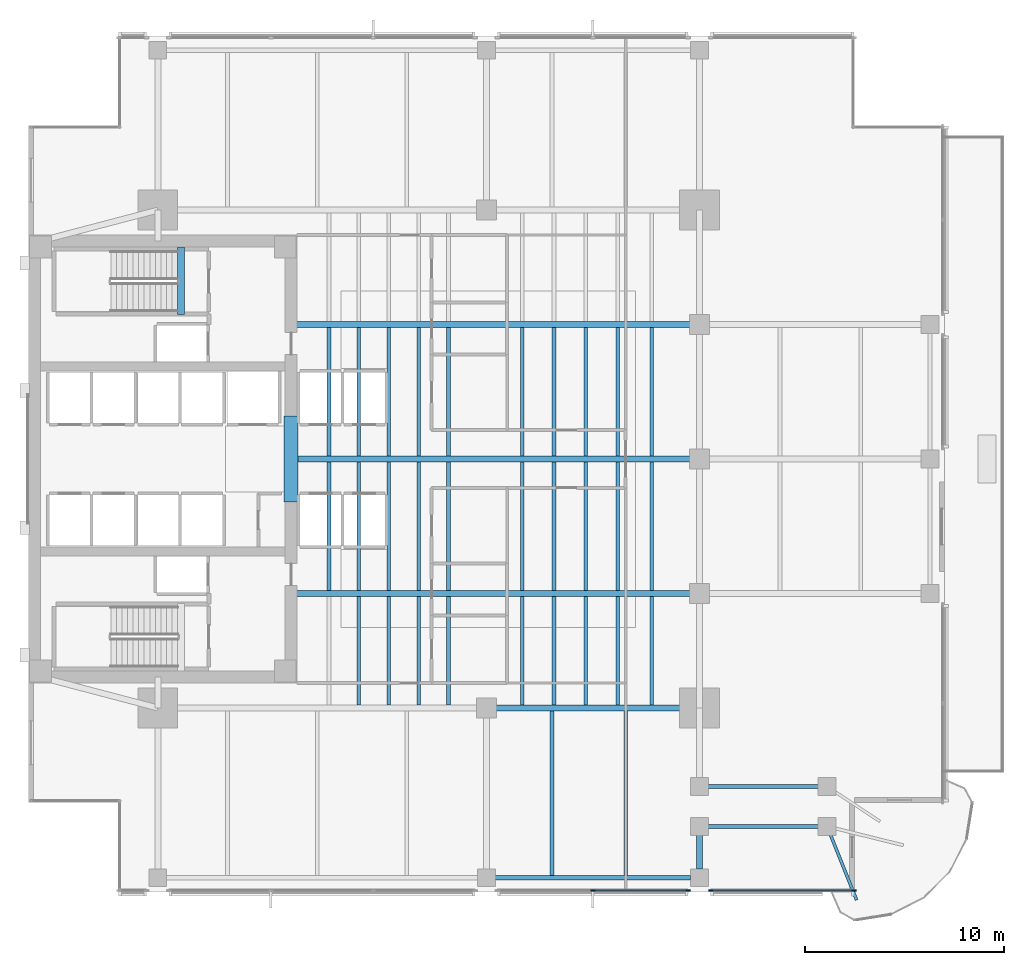
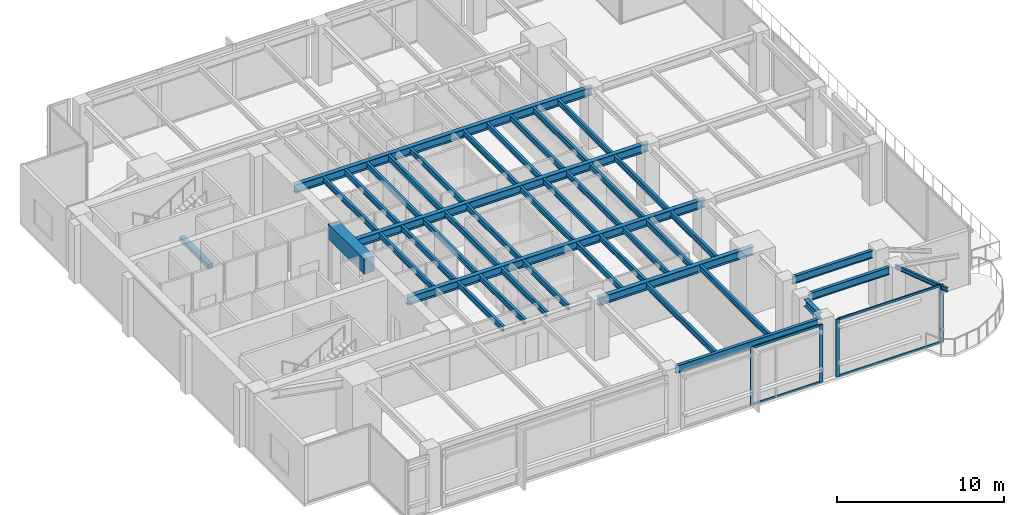
# One storey, part 3 of 14: 42 beams, 8 members, 2 elements without a shape of their own.
"""IFC4 building model written with IfcOpenShell, lengths in metres."""

from ifc_helpers import new_model, si_unit, direction, frame, origin, origin_2d, place, context, subcontext, project, spatial, rectangle, i_section, extrude, material, layer, layer_set, material_profile, profile_set, type_object, element, aggregate, save


model = new_model("IFC4")

# Units and contexts
model_context = context("Model", 3, precision=1e-05, world=origin(), true_north=direction((0.0, 1.0)))
body_context = subcontext(model_context, "Body", "Model", "MODEL_VIEW")
ifc_project = project(units=[si_unit("LENGTHUNIT", "METRE"), si_unit("AREAUNIT", "SQUARE_METRE"), si_unit("VOLUMEUNIT", "CUBIC_METRE"), si_unit("PLANEANGLEUNIT", "RADIAN"), si_unit("MASSUNIT", "GRAM", prefix="KILO")], contexts=[model_context])

# Site, building, storey
site_placement = place(None, origin())
site = spatial("IfcSite", under=ifc_project, at=site_placement, CompositionType="ELEMENT")
building_placement = place(site_placement, origin())
building = spatial("IfcBuilding", under=site, at=building_placement, Name="Kinhvarn Gate Tower", CompositionType="ELEMENT")
storey_placement = place(building_placement, frame((0.0, 0.0, 97.85009765625)))
storey = spatial("IfcBuildingStorey", under=building, at=storey_placement, Name="L25", CompositionType="ELEMENT", Elevation=97.85009765625)

# Beams
ifc_material_1 = material(Name="Concrete C70/85", Category="concrete")
ifc_material_profile_1 = material_profile(ifc_material_1, rectangle(XDim=0.699951171875, YDim=1.10009765625, at=origin_2d()), Name="RC 700x1100")
ifc_profile_set_1 = profile_set([ifc_material_profile_1], Name="Concrete C70/85")
beam_type_1 = type_object("IfcBeamType", Name="BM-CB-1100", PredefinedType="LINTEL", material=ifc_profile_set_1)
beam_1_placement = place(storey_placement, frame((17.699951171875, 23.10009765625, 3.669921875), z_axis=(0.0, 1.0, 0.0), x_axis=(-1.0, 0.0, 0.0)))
element("IfcBeam", 1, at=beam_1_placement, inside=storey, type_object=beam_type_1, Name="Core East Portal Coupling Beam L25", PredefinedType="LINTEL", context=body_context, shape_type="SweptSolid", body=[
    extrude(rectangle(XDim=0.699951171875, YDim=1.10009765625, at=origin_2d()), origin(), (0.0, 0.0, 1.0), 4.2998046875),
])
ifc_material_2 = material(Name="Concrete C50/60", Category="concrete")
ifc_material_profile_2 = material_profile(ifc_material_2, rectangle(XDim=0.340087890625, YDim=0.320068359375, at=origin_2d()), Name="RC 340x320")
ifc_profile_set_2 = profile_set([ifc_material_profile_2], Name="Concrete C50/60")
beam_type_2 = type_object("IfcBeamType", Name="BM-LND-500", PredefinedType="BEAM", material=ifc_profile_set_2)
beam_2_placement = place(storey_placement, frame((12.1650390625, 32.5, -0.16015625), z_axis=(0.0, 1.0, 0.0), x_axis=(-1.0, 0.0, 0.0)))
element("IfcBeam", 2, at=beam_2_placement, inside=storey, type_object=beam_type_2, Name="Stair ST2 Landing Nosing Beam (L25)", PredefinedType="BEAM", context=body_context, shape_type="SweptSolid", body=[
    extrude(rectangle(XDim=0.340087890625, YDim=0.320068359375, at=origin_2d()), origin(), (0.0, 0.0, 1.0), 3.39990234375),
])

# Curtain wall, members
ifc_material_3 = material(Name="Anodised aluminium AW-6063", Category="aluminium")
ifc_layer = layer(ifc_material_3, 0.219970703125)
ifc_layer_set = layer_set([ifc_layer], Name="Anodised aluminium AW-6063")
curtain_wall_type = type_object("IfcCurtainWallType", Name="CW-SYS-5", PredefinedType="NOTDEFINED", material=ifc_layer_set)
curtain_wall_1_placement = place(storey_placement, origin())
curtain_wall_1 = element("IfcCurtainWall", 3, at=curtain_wall_1_placement, inside=storey, type_object=curtain_wall_type, Name="Curtain Wall CW5 (L25)", PredefinedType="NOTDEFINED")
ifc_material_profile_3 = material_profile(ifc_material_3, rectangle(XDim=0.080078125, YDim=0.219970703125, at=origin_2d()), Name="ALU 80x220")
ifc_profile_set_3 = profile_set([ifc_material_profile_3], Name="Anodised aluminium AW-6063")
member_type_1 = type_object("IfcMemberType", Name="CW-MUL-220", PredefinedType="MULLION", material=ifc_profile_set_3)
member_1_placement = place(storey_placement, frame((32.85009765625, 3.590087890625, 0.0), z_axis=(0.0, 0.0, 1.0), x_axis=(0.0, 1.0, 0.0)))
member_1 = element("IfcMember", 4, at=member_1_placement, type_object=member_type_1, Name="CW5 mullion 2", PredefinedType="MULLION", context=body_context, shape_type="SweptSolid", body=[
    extrude(rectangle(XDim=0.080078125, YDim=0.219970703125, at=origin_2d()), origin(), (0.0, 0.0, 1.0), 4.219970703125),
])
member_2_placement = place(storey_placement, frame((37.6298828125, 3.590087890625, 0.0), z_axis=(0.0, 0.0, 1.0), x_axis=(0.0, 1.0, 0.0)))
member_2 = element("IfcMember", 5, at=member_2_placement, type_object=member_type_1, Name="CW5 mullion 3", PredefinedType="MULLION", context=body_context, shape_type="SweptSolid", body=[
    extrude(rectangle(XDim=0.080078125, YDim=0.219970703125, at=origin_2d()), origin(), (0.0, 0.0, 1.0), 4.219970703125),
])

curtain_wall_2_placement = place(storey_placement, origin())
curtain_wall_2 = element("IfcCurtainWall", 6, at=curtain_wall_2_placement, inside=storey, type_object=curtain_wall_type, Name="Curtain Wall CW5 (L25)", PredefinedType="NOTDEFINED")
member_3_placement = place(storey_placement, frame((38.77001953125, 3.590087890625, 0.0), z_axis=(0.0, 0.0, 1.0), x_axis=(0.0, 1.0, 0.0)))
member_3 = element("IfcMember", 7, at=member_3_placement, type_object=member_type_1, Name="CW5 mullion 1", PredefinedType="MULLION", context=body_context, shape_type="SweptSolid", body=[
    extrude(rectangle(XDim=0.080078125, YDim=0.219970703125, at=origin_2d()), origin(), (0.0, 0.0, 1.0), 4.219970703125),
])
member_4_placement = place(storey_placement, frame((45.9599609375, 3.590087890625, 0.0), z_axis=(0.0, 0.0, 1.0), x_axis=(0.0, 1.0, 0.0)))
member_4 = element("IfcMember", 8, at=member_4_placement, type_object=member_type_1, Name="CW5 mullion 2", PredefinedType="MULLION", context=body_context, shape_type="SweptSolid", body=[
    extrude(rectangle(XDim=0.080078125, YDim=0.219970703125, at=origin_2d()), origin(), (0.0, 0.0, 1.0), 4.219970703125),
])

# Member
ifc_material_profile_4 = material_profile(ifc_material_3, rectangle(XDim=0.080078125, YDim=0.159912109375, at=origin_2d()), Name="ALU 80x160")
ifc_profile_set_4 = profile_set([ifc_material_profile_4], Name="Anodised aluminium AW-6063")
member_type_2 = type_object("IfcMemberType", Name="CW-TRN-160", PredefinedType="USERDEFINED", material=ifc_profile_set_4)
member_5_placement = place(storey_placement, frame((32.889892578125, 3.590087890625, 0.039794921875), z_axis=(1.0, 0.0, 0.0), x_axis=(0.0, 1.0, 0.0)))
member_5 = element("IfcMember", 9, at=member_5_placement, type_object=member_type_2, Name="CW5 transom 2.1", ObjectType="TRANSOM", PredefinedType="USERDEFINED", context=body_context, shape_type="SweptSolid", body=[
    extrude(rectangle(XDim=0.080078125, YDim=0.159912109375, at=origin_2d()), origin(), (0.0, 0.0, 1.0), 4.7001953125),
])

member_6_placement = place(storey_placement, frame((32.889892578125, 3.590087890625, 4.179931640625), z_axis=(1.0, 0.0, 0.0), x_axis=(0.0, 1.0, 0.0)))
member_6 = element("IfcMember", 10, at=member_6_placement, type_object=member_type_2, Name="CW5 transom 2.2", ObjectType="TRANSOM", PredefinedType="USERDEFINED", context=body_context, shape_type="SweptSolid", body=[
    extrude(rectangle(XDim=0.080078125, YDim=0.159912109375, at=origin_2d()), origin(), (0.0, 0.0, 1.0), 4.7001953125),
])

aggregate(curtain_wall_1, [member_1, member_2, member_5, member_6])

member_7_placement = place(storey_placement, frame((38.81005859375, 3.590087890625, 0.039794921875), z_axis=(1.0, 0.0, 0.0), x_axis=(0.0, 1.0, 0.0)))
member_7 = element("IfcMember", 11, at=member_7_placement, type_object=member_type_2, Name="CW5 transom 1.1", ObjectType="TRANSOM", PredefinedType="USERDEFINED", context=body_context, shape_type="SweptSolid", body=[
    extrude(rectangle(XDim=0.080078125, YDim=0.159912109375, at=origin_2d()), origin(), (0.0, 0.0, 1.0), 7.10986328125),
])

member_8_placement = place(storey_placement, frame((38.81005859375, 3.590087890625, 4.179931640625), z_axis=(1.0, 0.0, 0.0), x_axis=(0.0, 1.0, 0.0)))
member_8 = element("IfcMember", 12, at=member_8_placement, type_object=member_type_2, Name="CW5 transom 1.2", ObjectType="TRANSOM", PredefinedType="USERDEFINED", context=body_context, shape_type="SweptSolid", body=[
    extrude(rectangle(XDim=0.080078125, YDim=0.159912109375, at=origin_2d()), origin(), (0.0, 0.0, 1.0), 7.10986328125),
])

aggregate(curtain_wall_2, [member_3, member_4, member_7, member_8])

# Beams
ifc_material_4 = material(Name="Steel S355", Category="steel")
ifc_material_profile_5 = material_profile(ifc_material_4, i_section(OverallWidth=0.300048828125, OverallDepth=0.5, WebThickness=0.014404296875, FlangeThickness=0.028076171875, at=origin_2d()), Name="HEB 500")
ifc_profile_set_5 = profile_set([ifc_material_profile_5], Name="Steel S355")
beam_type_3 = type_object("IfcBeamType", Name="STL-HEB500", PredefinedType="BEAM", material=ifc_profile_set_5)
beam_3_placement = place(storey_placement, frame((38.199951171875, 4.655029296875, 3.969970703125), z_axis=(0.0, 1.0, 0.0), x_axis=(-1.0, 0.0, 0.0)))
element("IfcBeam", 13, at=beam_3_placement, inside=storey, type_object=beam_type_3, Name="Floor Beam PG-14 (L25 MCE-S-A0)", PredefinedType="BEAM", context=body_context, shape_type="SweptSolid", body=[
    extrude(i_section(OverallWidth=0.300048828125, OverallDepth=0.5, WebThickness=0.014404296875, FlangeThickness=0.028076171875, at=origin_2d()), origin(), (0.0, 0.0, 1.0), 1.7099609375),
])
ifc_material_profile_6 = material_profile(ifc_material_4, i_section(OverallWidth=0.300048828125, OverallDepth=0.60009765625, WebThickness=0.015380859375, FlangeThickness=0.030029296875, at=origin_2d()), Name="HEB 600")
ifc_profile_set_6 = profile_set([ifc_material_profile_6], Name="Steel S355")
beam_type_4 = type_object("IfcBeamType", Name="STL-HEB600", PredefinedType="BEAM", material=ifc_profile_set_6)
beam_4_placement = place(storey_placement, frame((27.5, 12.75, 3.919921875), z_axis=(1.0, 0.0, 0.0), x_axis=(0.0, 1.0, 0.0)))
element("IfcBeam", 14, at=beam_4_placement, inside=storey, type_object=beam_type_4, Name="Floor Beam PG-16 (L25 MG-S2)", PredefinedType="BEAM", context=body_context, shape_type="SweptSolid", body=[
    extrude(i_section(OverallWidth=0.300048828125, OverallDepth=0.60009765625, WebThickness=0.015380859375, FlangeThickness=0.030029296875, at=origin_2d()), origin(), (0.0, 0.0, 1.0), 10.699951171875),
])
beam_5_placement = place(storey_placement, frame((17.64990234375, 18.5, 3.919921875), z_axis=(1.0, 0.0, 0.0), x_axis=(0.0, 1.0, 0.0)))
element("IfcBeam", 15, at=beam_5_placement, inside=storey, type_object=beam_type_4, Name="Floor Beam PG-16 (L25 EW1-Y18)", PredefinedType="BEAM", context=body_context, shape_type="SweptSolid", body=[
    extrude(i_section(OverallWidth=0.300048828125, OverallDepth=0.60009765625, WebThickness=0.015380859375, FlangeThickness=0.030029296875, at=origin_2d()), origin(), (0.0, 0.0, 1.0), 20.550048828125),
])
beam_6_placement = place(storey_placement, frame((18.050048828125, 25.25, 3.919921875), z_axis=(1.0, 0.0, 0.0), x_axis=(0.0, 1.0, 0.0)))
element("IfcBeam", 16, at=beam_6_placement, inside=storey, type_object=beam_type_4, Name="Floor Beam PG-16 (L25 EW1-Y25)", PredefinedType="BEAM", context=body_context, shape_type="SweptSolid", body=[
    extrude(i_section(OverallWidth=0.300048828125, OverallDepth=0.60009765625, WebThickness=0.015380859375, FlangeThickness=0.030029296875, at=origin_2d()), origin(), (0.0, 0.0, 1.0), 20.14990234375),
])
beam_7_placement = place(storey_placement, frame((17.64990234375, 32.0, 3.919921875), z_axis=(1.0, 0.0, 0.0), x_axis=(0.0, 1.0, 0.0)))
element("IfcBeam", 17, at=beam_7_placement, inside=storey, type_object=beam_type_4, Name="Floor Beam PG-16 (L25 EW1-Y32)", PredefinedType="BEAM", context=body_context, shape_type="SweptSolid", body=[
    extrude(i_section(OverallWidth=0.300048828125, OverallDepth=0.60009765625, WebThickness=0.015380859375, FlangeThickness=0.030029296875, at=origin_2d()), origin(), (0.0, 0.0, 1.0), 20.550048828125),
])
ifc_material_profile_7 = material_profile(ifc_material_4, i_section(OverallWidth=0.14990234375, OverallDepth=0.300048828125, WebThickness=0.007080078125, FlangeThickness=0.0107421875, at=origin_2d()), Name="IPE 300")
ifc_profile_set_7 = profile_set([ifc_material_profile_7], Name="Steel S355")
beam_type_5 = type_object("IfcBeamType", Name="STL-IPE300", PredefinedType="JOIST", material=ifc_profile_set_7)
beam_8_placement = place(storey_placement, frame((44.6201171875, 6.800048828125, 4.06982421875), z_axis=(0.371390676354, -0.928476690885, 0.0), x_axis=(0.928476690885, 0.371390676354, 0.0)))
element("IfcBeam", 18, at=beam_8_placement, inside=storey, type_object=beam_type_5, Name="Floor Joist SB-02 (L25 BAL-B2-L26)", PredefinedType="JOIST", context=body_context, shape_type="SweptSolid", body=[
    extrude(i_section(OverallWidth=0.14990234375, OverallDepth=0.300048828125, WebThickness=0.007080078125, FlangeThickness=0.0107421875, at=origin_2d()), origin(), (0.0, 0.0, 1.0), 3.98486328125),
])
ifc_material_profile_8 = material_profile(ifc_material_4, i_section(OverallWidth=0.179931640625, OverallDepth=0.39990234375, WebThickness=0.008544921875, FlangeThickness=0.013427734375, at=origin_2d()), Name="IPE 400")
ifc_profile_set_8 = profile_set([ifc_material_profile_8], Name="Steel S355")
beam_type_6 = type_object("IfcBeamType", Name="STL-IPE400", PredefinedType="JOIST", material=ifc_profile_set_8)
for number, where, z_axis, x_axis, name in (
    (19, (19.60009765625, 18.64990234375, 4.02001953125), (0.0, 1.0, 0.0), (-1.0, 0.0, 0.0), "Floor Joist SB-05 (L25 JC-X196-1)"),
    (20, (19.60009765625, 25.39990234375, 4.02001953125), (0.0, 1.0, 0.0), (-1.0, 0.0, 0.0), "Floor Joist SB-05 (L25 JC-X196-2)"),
):
    element("IfcBeam", number, at=place(storey_placement, frame(where, z_axis=z_axis, x_axis=x_axis)), inside=storey, type_object=beam_type_6, Name=name, PredefinedType="JOIST", context=body_context, shape_type="SweptSolid", body=[
        extrude(i_section(OverallWidth=0.179931640625, OverallDepth=0.39990234375, WebThickness=0.008544921875, FlangeThickness=0.013427734375, at=origin_2d()), origin(), (0.0, 0.0, 1.0), 6.4501953125),
    ])
beam_9_placement = place(storey_placement, frame((21.10009765625, 12.89990234375, 4.02001953125), z_axis=(0.0, 1.0, 0.0), x_axis=(-1.0, 0.0, 0.0)))
element("IfcBeam", 21, at=beam_9_placement, inside=storey, type_object=beam_type_6, Name="Floor Joist SB-05 (L25 JC-X211-0)", PredefinedType="JOIST", context=body_context, shape_type="SweptSolid", body=[
    extrude(i_section(OverallWidth=0.179931640625, OverallDepth=0.39990234375, WebThickness=0.008544921875, FlangeThickness=0.013427734375, at=origin_2d()), origin(), (0.0, 0.0, 1.0), 5.4501953125),
])
for number, where, z_axis, x_axis, name in (
    (22, (21.10009765625, 18.64990234375, 4.02001953125), (0.0, 1.0, 0.0), (-1.0, 0.0, 0.0), "Floor Joist SB-05 (L25 JC-X211-1)"),
    (23, (21.10009765625, 25.39990234375, 4.02001953125), (0.0, 1.0, 0.0), (-1.0, 0.0, 0.0), "Floor Joist SB-05 (L25 JC-X211-2)"),
):
    element("IfcBeam", number, at=place(storey_placement, frame(where, z_axis=z_axis, x_axis=x_axis)), inside=storey, type_object=beam_type_6, Name=name, PredefinedType="JOIST", context=body_context, shape_type="SweptSolid", body=[
        extrude(i_section(OverallWidth=0.179931640625, OverallDepth=0.39990234375, WebThickness=0.008544921875, FlangeThickness=0.013427734375, at=origin_2d()), origin(), (0.0, 0.0, 1.0), 6.4501953125),
    ])
beam_10_placement = place(storey_placement, frame((22.60009765625, 12.89990234375, 4.02001953125), z_axis=(0.0, 1.0, 0.0), x_axis=(-1.0, 0.0, 0.0)))
element("IfcBeam", 24, at=beam_10_placement, inside=storey, type_object=beam_type_6, Name="Floor Joist SB-05 (L25 JC-X226-0)", PredefinedType="JOIST", context=body_context, shape_type="SweptSolid", body=[
    extrude(i_section(OverallWidth=0.179931640625, OverallDepth=0.39990234375, WebThickness=0.008544921875, FlangeThickness=0.013427734375, at=origin_2d()), origin(), (0.0, 0.0, 1.0), 5.4501953125),
])
for number, where, z_axis, x_axis, name in (
    (25, (22.60009765625, 18.64990234375, 4.02001953125), (0.0, 1.0, 0.0), (-1.0, 0.0, 0.0), "Floor Joist SB-05 (L25 JC-X226-1)"),
    (26, (22.60009765625, 25.39990234375, 4.02001953125), (0.0, 1.0, 0.0), (-1.0, 0.0, 0.0), "Floor Joist SB-05 (L25 JC-X226-2)"),
):
    element("IfcBeam", number, at=place(storey_placement, frame(where, z_axis=z_axis, x_axis=x_axis)), inside=storey, type_object=beam_type_6, Name=name, PredefinedType="JOIST", context=body_context, shape_type="SweptSolid", body=[
        extrude(i_section(OverallWidth=0.179931640625, OverallDepth=0.39990234375, WebThickness=0.008544921875, FlangeThickness=0.013427734375, at=origin_2d()), origin(), (0.0, 0.0, 1.0), 6.4501953125),
    ])
beam_11_placement = place(storey_placement, frame((24.10009765625, 12.89990234375, 4.02001953125), z_axis=(0.0, 1.0, 0.0), x_axis=(-1.0, 0.0, 0.0)))
element("IfcBeam", 27, at=beam_11_placement, inside=storey, type_object=beam_type_6, Name="Floor Joist SB-05 (L25 JC-X241-0)", PredefinedType="JOIST", context=body_context, shape_type="SweptSolid", body=[
    extrude(i_section(OverallWidth=0.179931640625, OverallDepth=0.39990234375, WebThickness=0.008544921875, FlangeThickness=0.013427734375, at=origin_2d()), origin(), (0.0, 0.0, 1.0), 5.4501953125),
])
for number, where, z_axis, x_axis, name in (
    (28, (24.10009765625, 18.64990234375, 4.02001953125), (0.0, 1.0, 0.0), (-1.0, 0.0, 0.0), "Floor Joist SB-05 (L25 JC-X241-1)"),
    (29, (24.10009765625, 25.39990234375, 4.02001953125), (0.0, 1.0, 0.0), (-1.0, 0.0, 0.0), "Floor Joist SB-05 (L25 JC-X241-2)"),
):
    element("IfcBeam", number, at=place(storey_placement, frame(where, z_axis=z_axis, x_axis=x_axis)), inside=storey, type_object=beam_type_6, Name=name, PredefinedType="JOIST", context=body_context, shape_type="SweptSolid", body=[
        extrude(i_section(OverallWidth=0.179931640625, OverallDepth=0.39990234375, WebThickness=0.008544921875, FlangeThickness=0.013427734375, at=origin_2d()), origin(), (0.0, 0.0, 1.0), 6.4501953125),
    ])
beam_12_placement = place(storey_placement, frame((25.60009765625, 12.89990234375, 4.02001953125), z_axis=(0.0, 1.0, 0.0), x_axis=(-1.0, 0.0, 0.0)))
element("IfcBeam", 30, at=beam_12_placement, inside=storey, type_object=beam_type_6, Name="Floor Joist SB-05 (L25 JC-X256-0)", PredefinedType="JOIST", context=body_context, shape_type="SweptSolid", body=[
    extrude(i_section(OverallWidth=0.179931640625, OverallDepth=0.39990234375, WebThickness=0.008544921875, FlangeThickness=0.013427734375, at=origin_2d()), origin(), (0.0, 0.0, 1.0), 5.4501953125),
])
for number, where, z_axis, x_axis, name in (
    (31, (25.60009765625, 18.64990234375, 4.02001953125), (0.0, 1.0, 0.0), (-1.0, 0.0, 0.0), "Floor Joist SB-05 (L25 JC-X256-1)"),
    (32, (25.60009765625, 25.39990234375, 4.02001953125), (0.0, 1.0, 0.0), (-1.0, 0.0, 0.0), "Floor Joist SB-05 (L25 JC-X256-2)"),
):
    element("IfcBeam", number, at=place(storey_placement, frame(where, z_axis=z_axis, x_axis=x_axis)), inside=storey, type_object=beam_type_6, Name=name, PredefinedType="JOIST", context=body_context, shape_type="SweptSolid", body=[
        extrude(i_section(OverallWidth=0.179931640625, OverallDepth=0.39990234375, WebThickness=0.008544921875, FlangeThickness=0.013427734375, at=origin_2d()), origin(), (0.0, 0.0, 1.0), 6.4501953125),
    ])
beam_13_placement = place(storey_placement, frame((29.300048828125, 12.89990234375, 4.02001953125), z_axis=(0.0, 1.0, 0.0), x_axis=(-1.0, 0.0, 0.0)))
element("IfcBeam", 33, at=beam_13_placement, inside=storey, type_object=beam_type_6, Name="Floor Joist SB-05 (L25 JC-X293-0)", PredefinedType="JOIST", context=body_context, shape_type="SweptSolid", body=[
    extrude(i_section(OverallWidth=0.179931640625, OverallDepth=0.39990234375, WebThickness=0.008544921875, FlangeThickness=0.013427734375, at=origin_2d()), origin(), (0.0, 0.0, 1.0), 5.4501953125),
])
for number, where, z_axis, x_axis, name in (
    (34, (29.300048828125, 18.64990234375, 4.02001953125), (0.0, 1.0, 0.0), (-1.0, 0.0, 0.0), "Floor Joist SB-05 (L25 JC-X293-1)"),
    (35, (29.300048828125, 25.39990234375, 4.02001953125), (0.0, 1.0, 0.0), (-1.0, 0.0, 0.0), "Floor Joist SB-05 (L25 JC-X293-2)"),
):
    element("IfcBeam", number, at=place(storey_placement, frame(where, z_axis=z_axis, x_axis=x_axis)), inside=storey, type_object=beam_type_6, Name=name, PredefinedType="JOIST", context=body_context, shape_type="SweptSolid", body=[
        extrude(i_section(OverallWidth=0.179931640625, OverallDepth=0.39990234375, WebThickness=0.008544921875, FlangeThickness=0.013427734375, at=origin_2d()), origin(), (0.0, 0.0, 1.0), 6.4501953125),
    ])
beam_14_placement = place(storey_placement, frame((30.89990234375, 12.89990234375, 4.02001953125), z_axis=(0.0, 1.0, 0.0), x_axis=(-1.0, 0.0, 0.0)))
element("IfcBeam", 36, at=beam_14_placement, inside=storey, type_object=beam_type_6, Name="Floor Joist SB-05 (L25 JC-X309-0)", PredefinedType="JOIST", context=body_context, shape_type="SweptSolid", body=[
    extrude(i_section(OverallWidth=0.179931640625, OverallDepth=0.39990234375, WebThickness=0.008544921875, FlangeThickness=0.013427734375, at=origin_2d()), origin(), (0.0, 0.0, 1.0), 5.4501953125),
])
for number, where, z_axis, x_axis, name in (
    (37, (30.89990234375, 18.64990234375, 4.02001953125), (0.0, 1.0, 0.0), (-1.0, 0.0, 0.0), "Floor Joist SB-05 (L25 JC-X309-1)"),
    (38, (30.89990234375, 25.39990234375, 4.02001953125), (0.0, 1.0, 0.0), (-1.0, 0.0, 0.0), "Floor Joist SB-05 (L25 JC-X309-2)"),
):
    element("IfcBeam", number, at=place(storey_placement, frame(where, z_axis=z_axis, x_axis=x_axis)), inside=storey, type_object=beam_type_6, Name=name, PredefinedType="JOIST", context=body_context, shape_type="SweptSolid", body=[
        extrude(i_section(OverallWidth=0.179931640625, OverallDepth=0.39990234375, WebThickness=0.008544921875, FlangeThickness=0.013427734375, at=origin_2d()), origin(), (0.0, 0.0, 1.0), 6.4501953125),
    ])
beam_15_placement = place(storey_placement, frame((32.5, 12.89990234375, 4.02001953125), z_axis=(0.0, 1.0, 0.0), x_axis=(-1.0, 0.0, 0.0)))
element("IfcBeam", 39, at=beam_15_placement, inside=storey, type_object=beam_type_6, Name="Floor Joist SB-05 (L25 JC-X325-0)", PredefinedType="JOIST", context=body_context, shape_type="SweptSolid", body=[
    extrude(i_section(OverallWidth=0.179931640625, OverallDepth=0.39990234375, WebThickness=0.008544921875, FlangeThickness=0.013427734375, at=origin_2d()), origin(), (0.0, 0.0, 1.0), 5.4501953125),
])
for number, where, z_axis, x_axis, name in (
    (40, (32.5, 18.64990234375, 4.02001953125), (0.0, 1.0, 0.0), (-1.0, 0.0, 0.0), "Floor Joist SB-05 (L25 JC-X325-1)"),
    (41, (32.5, 25.39990234375, 4.02001953125), (0.0, 1.0, 0.0), (-1.0, 0.0, 0.0), "Floor Joist SB-05 (L25 JC-X325-2)"),
):
    element("IfcBeam", number, at=place(storey_placement, frame(where, z_axis=z_axis, x_axis=x_axis)), inside=storey, type_object=beam_type_6, Name=name, PredefinedType="JOIST", context=body_context, shape_type="SweptSolid", body=[
        extrude(i_section(OverallWidth=0.179931640625, OverallDepth=0.39990234375, WebThickness=0.008544921875, FlangeThickness=0.013427734375, at=origin_2d()), origin(), (0.0, 0.0, 1.0), 6.4501953125),
    ])
beam_16_placement = place(storey_placement, frame((34.10009765625, 12.89990234375, 4.02001953125), z_axis=(0.0, 1.0, 0.0), x_axis=(-1.0, 0.0, 0.0)))
element("IfcBeam", 42, at=beam_16_placement, inside=storey, type_object=beam_type_6, Name="Floor Joist SB-05 (L25 JC-X341-0)", PredefinedType="JOIST", context=body_context, shape_type="SweptSolid", body=[
    extrude(i_section(OverallWidth=0.179931640625, OverallDepth=0.39990234375, WebThickness=0.008544921875, FlangeThickness=0.013427734375, at=origin_2d()), origin(), (0.0, 0.0, 1.0), 5.4501953125),
])
for number, where, z_axis, x_axis, name in (
    (43, (34.10009765625, 18.64990234375, 4.02001953125), (0.0, 1.0, 0.0), (-1.0, 0.0, 0.0), "Floor Joist SB-05 (L25 JC-X341-1)"),
    (44, (34.10009765625, 25.39990234375, 4.02001953125), (0.0, 1.0, 0.0), (-1.0, 0.0, 0.0), "Floor Joist SB-05 (L25 JC-X341-2)"),
):
    element("IfcBeam", number, at=place(storey_placement, frame(where, z_axis=z_axis, x_axis=x_axis)), inside=storey, type_object=beam_type_6, Name=name, PredefinedType="JOIST", context=body_context, shape_type="SweptSolid", body=[
        extrude(i_section(OverallWidth=0.179931640625, OverallDepth=0.39990234375, WebThickness=0.008544921875, FlangeThickness=0.013427734375, at=origin_2d()), origin(), (0.0, 0.0, 1.0), 6.4501953125),
    ])
beam_17_placement = place(storey_placement, frame((35.800048828125, 12.89990234375, 4.02001953125), z_axis=(0.0, 1.0, 0.0), x_axis=(-1.0, 0.0, 0.0)))
element("IfcBeam", 45, at=beam_17_placement, inside=storey, type_object=beam_type_6, Name="Floor Joist SB-05 (L25 JC-X358-0)", PredefinedType="JOIST", context=body_context, shape_type="SweptSolid", body=[
    extrude(i_section(OverallWidth=0.179931640625, OverallDepth=0.39990234375, WebThickness=0.008544921875, FlangeThickness=0.013427734375, at=origin_2d()), origin(), (0.0, 0.0, 1.0), 5.4501953125),
])
for number, where, z_axis, x_axis, name in (
    (46, (35.800048828125, 18.64990234375, 4.02001953125), (0.0, 1.0, 0.0), (-1.0, 0.0, 0.0), "Floor Joist SB-05 (L25 JC-X358-1)"),
    (47, (35.800048828125, 25.39990234375, 4.02001953125), (0.0, 1.0, 0.0), (-1.0, 0.0, 0.0), "Floor Joist SB-05 (L25 JC-X358-2)"),
):
    element("IfcBeam", number, at=place(storey_placement, frame(where, z_axis=z_axis, x_axis=x_axis)), inside=storey, type_object=beam_type_6, Name=name, PredefinedType="JOIST", context=body_context, shape_type="SweptSolid", body=[
        extrude(i_section(OverallWidth=0.179931640625, OverallDepth=0.39990234375, WebThickness=0.008544921875, FlangeThickness=0.013427734375, at=origin_2d()), origin(), (0.0, 0.0, 1.0), 6.4501953125),
    ])
for number, where, z_axis, x_axis, name in (
    (48, (30.800048828125, 4.324951171875, 4.02001953125), (0.0, 1.0, 0.0), (-1.0, 0.0, 0.0), "Floor Joist SB-05 (L25 JS-X308)"),
    (49, (34.5, 4.324951171875, 4.02001953125), (0.0, 1.0, 0.0), (-1.0, 0.0, 0.0), "Floor Joist SB-05 (L25 JS-X345)"),
):
    element("IfcBeam", number, at=place(storey_placement, frame(where, z_axis=z_axis, x_axis=x_axis)), inside=storey, type_object=beam_type_6, Name=name, PredefinedType="JOIST", context=body_context, shape_type="SweptSolid", body=[
        extrude(i_section(OverallWidth=0.179931640625, OverallDepth=0.39990234375, WebThickness=0.008544921875, FlangeThickness=0.013427734375, at=origin_2d()), origin(), (0.0, 0.0, 1.0), 8.275146484375),
    ])
ifc_material_profile_9 = material_profile(ifc_material_4, i_section(OverallWidth=0.2099609375, OverallDepth=0.550048828125, WebThickness=0.010986328125, FlangeThickness=0.01708984375, at=origin_2d()), Name="IPE 550")
ifc_profile_set_9 = profile_set([ifc_material_profile_9], Name="Steel S355")
beam_type_7 = type_object("IfcBeamType", Name="STL-IPE550", PredefinedType="SPANDREL", material=ifc_profile_set_9)
beam_18_placement = place(storey_placement, frame((27.93505859375, 4.219970703125, 3.94482421875), z_axis=(1.0, 0.0, 0.0), x_axis=(0.0, 1.0, 0.0)))
element("IfcBeam", 50, at=beam_18_placement, inside=storey, type_object=beam_type_7, Name="Floor Spandrel SB-08 (L25 SP-S2)", PredefinedType="SPANDREL", context=body_context, shape_type="SweptSolid", body=[
    extrude(i_section(OverallWidth=0.2099609375, OverallDepth=0.550048828125, WebThickness=0.010986328125, FlangeThickness=0.01708984375, at=origin_2d()), origin(), (0.0, 0.0, 1.0), 9.829833984375),
])
for number, where, z_axis, x_axis, name in (
    (51, (38.635009765625, 8.800048828125, 3.94482421875), (1.0, 0.0, 0.0), (0.0, 1.0, 0.0), "Floor Spandrel SB-08 (L25 SP-SE2)"),
    (52, (38.635009765625, 6.800048828125, 3.94482421875), (1.0, 0.0, 0.0), (0.0, 1.0, 0.0), "Floor Spandrel SB-08 (L25 SP-SE2-S)"),
):
    element("IfcBeam", number, at=place(storey_placement, frame(where, z_axis=z_axis, x_axis=x_axis)), inside=storey, type_object=beam_type_7, Name=name, PredefinedType="SPANDREL", context=body_context, shape_type="SweptSolid", body=[
        extrude(i_section(OverallWidth=0.2099609375, OverallDepth=0.550048828125, WebThickness=0.010986328125, FlangeThickness=0.01708984375, at=origin_2d()), origin(), (0.0, 0.0, 1.0), 5.550048828125),
    ])

save(model, "model.ifc")
